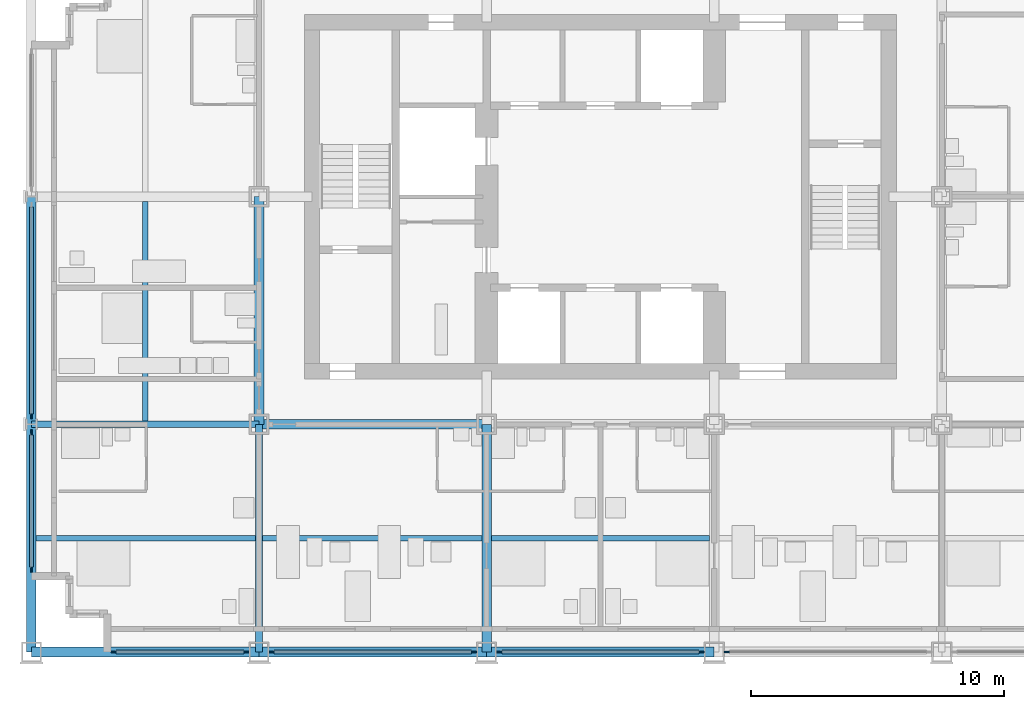
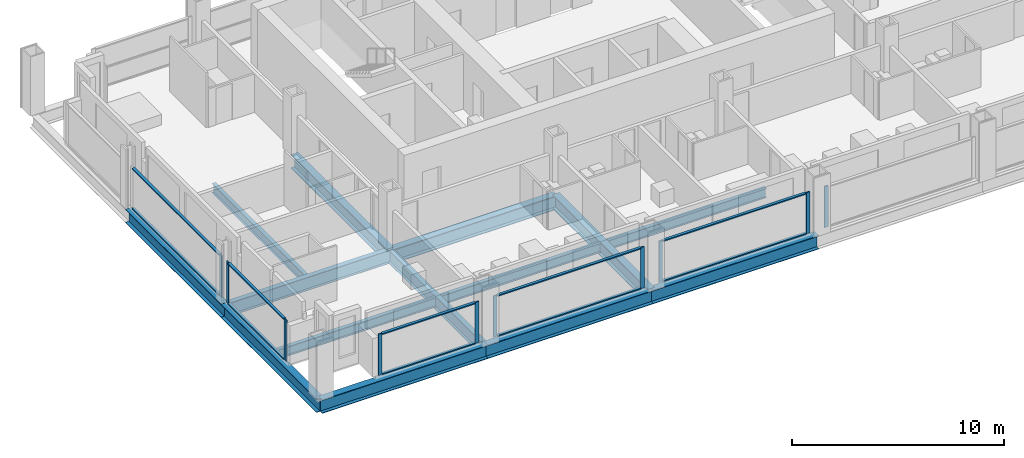
# One storey, part 2 of 13: 20 members, 14 beams, 6 elements without a shape of their own.
"""IFC4 building model written with IfcOpenShell, lengths in metres."""

import ifcopenshell
import ifcopenshell.guid

model = None  # the IFC model being written
_history = None  # IfcOwnerHistory: only IFC2X3 demands one
_inside = {}  # id of a spatial element -> (the spatial element, [elements in it])
_under = {}  # id of a project, library or spatial element -> (it, [spatial elements below it])
_declared = {}  # id of a project -> (the project, [libraries it declares])
_typed = {}  # id of a type object -> (the type object, [elements of that type])
_made_of = {}  # id of a material, layer set ... -> (it, [elements and type objects made of it])


def new_model(schema):
    """Start an empty IFC model of exactly this schema.

    Asked for "IFC4X3", IfcOpenShell would pick the latest addendum, in which some entities
    have other attributes; the version numbers below select the first issue.
    IFC2X3 requires an IfcOwnerHistory on every rooted entity: one is made here for all.
    """
    global model, _history
    if schema == "IFC4X3":
        model = ifcopenshell.file(schema_version=(4, 3, 0, 0))
    else:
        model = ifcopenshell.file(schema=schema)
    _inside.clear()
    _under.clear()
    _declared.clear()
    _typed.clear()
    _made_of.clear()
    _history = None
    if model.schema == "IFC2X3":
        org = make("IfcOrganization", Name="unknown")
        user = make(
            "IfcPersonAndOrganization",
            ThePerson=make("IfcPerson", FamilyName="unknown"),
            TheOrganization=org,
        )
        app = make(
            "IfcApplication",
            ApplicationDeveloper=org,
            Version="unknown",
            ApplicationFullName="unknown",
            ApplicationIdentifier="unknown",
        )
        _history = make(
            "IfcOwnerHistory",
            OwningUser=user,
            OwningApplication=app,
            ChangeAction="ADDED",
            CreationDate=0,
        )
    return model


def make(cls, **values):
    """One entity of the class cls with the attributes given. An attribute that is None is left unset."""
    return model.create_entity(
        cls, **{name: value for name, value in values.items() if value is not None}
    )


def rooted(cls, **values):
    """An entity with a GlobalId (a new one), such as an element, a storey or a relation."""
    return make(cls, GlobalId=ifcopenshell.guid.new(), OwnerHistory=_history, **values)


def si_unit(unit_type, name, prefix=None):
    """IfcSIUnit, for example si_unit("LENGTHUNIT", "METRE", prefix="MILLI")."""
    return make("IfcSIUnit", UnitType=unit_type, Prefix=prefix, Name=name)


def assignment(units):
    """IfcUnitAssignment: the units of a project."""
    return None if units is None else make("IfcUnitAssignment", Units=units)


def point(xyz):
    """IfcCartesianPoint."""
    return None if xyz is None else make("IfcCartesianPoint", Coordinates=xyz)


def direction(xyz):
    """IfcDirection."""
    return None if xyz is None else make("IfcDirection", DirectionRatios=xyz)


def frame(location, z_axis=None, x_axis=None):
    """IfcAxis2Placement3D, a coordinate frame: its origin and axes. An axis left out is left unset."""
    return make(
        "IfcAxis2Placement3D",
        Location=point(location),
        Axis=direction(z_axis),
        RefDirection=direction(x_axis),
    )


def frame_2d(location, x_axis=None):
    """IfcAxis2Placement2D, a coordinate frame in the plane: its origin and x axis."""
    return make(
        "IfcAxis2Placement2D", Location=point(location), RefDirection=direction(x_axis)
    )


def origin():
    """The frame at (0, 0, 0) with its axes left unset."""
    return frame((0.0, 0.0, 0.0))


def origin_2d():
    """The frame at (0, 0) in the plane with its x axis left unset."""
    return frame_2d((0.0, 0.0))


def place(relative_to, where):
    """IfcLocalPlacement: puts the frame where relative to a parent placement (None: the world)."""
    return make(
        "IfcLocalPlacement", PlacementRelTo=relative_to, RelativePlacement=where
    )


def context(
    kind, dimensions, precision=None, world=None, true_north=None, identifier=None
):
    """IfcGeometricRepresentationContext, for example the 3D "Model" context."""
    return make(
        "IfcGeometricRepresentationContext",
        ContextIdentifier=identifier,
        ContextType=kind,
        CoordinateSpaceDimension=dimensions,
        Precision=precision,
        WorldCoordinateSystem=world,
        TrueNorth=true_north,
    )


def subcontext(parent, identifier, kind, view, scale=None):
    """IfcGeometricRepresentationSubContext, for example "Body" below "Model"."""
    return make(
        "IfcGeometricRepresentationSubContext",
        ContextIdentifier=identifier,
        ContextType=kind,
        ParentContext=parent,
        TargetScale=scale,
        TargetView=view,
    )


def project(units=None, contexts=None):
    """IfcProject with its units and contexts."""
    return rooted(
        "IfcProject",
        Name="project",
        RepresentationContexts=contexts,
        UnitsInContext=assignment(units),
    )


def spatial(cls, under=None, at=None, **own):
    """A site, building, storey or space (cls), placed at a placement, below another one or the project."""
    s = rooted(cls, ObjectPlacement=at, **own)
    if under is not None:
        _under.setdefault(under.id(), (under, []))[1].append(s)
    return s


def profile(cls, at=None, kind="AREA", **sizes):
    """A parametric profile (cls). Its sizes go by their IFC names, for example OverallWidth=200.0."""
    return make(cls, ProfileType=kind, Position=at, **sizes)


def rectangle(**sizes):
    """IfcRectangleProfileDef."""
    return profile("IfcRectangleProfileDef", **sizes)


def i_section(**sizes):
    """IfcIShapeProfileDef."""
    return profile("IfcIShapeProfileDef", **sizes)


def extrude(swept, where, along, depth):
    """IfcExtrudedAreaSolid: the profile swept, set in the frame where, extruded along a direction by depth."""
    return make(
        "IfcExtrudedAreaSolid",
        SweptArea=swept,
        Position=where,
        ExtrudedDirection=direction(along),
        Depth=depth,
    )


def shape(context_of_items, identifier, shape_type, items):
    """IfcShapeRepresentation: the items that make up one representation, for example the "Body"."""
    return make(
        "IfcShapeRepresentation",
        ContextOfItems=context_of_items,
        RepresentationIdentifier=identifier,
        RepresentationType=shape_type,
        Items=items,
    )


def material(Name=None, Category=None):
    """IfcMaterial."""
    return make("IfcMaterial", Name=Name, Category=Category)


def material_profile(
    of_material, cross_section, Name=None, Category=None, Priority=None
):
    """IfcMaterialProfile: a cross section and its material."""
    return make(
        "IfcMaterialProfile",
        Name=Name,
        Material=of_material,
        Profile=cross_section,
        Priority=Priority,
        Category=Category,
    )


def profile_set(profiles, Name=None, composite=None):
    """IfcMaterialProfileSet."""
    return make(
        "IfcMaterialProfileSet",
        Name=Name,
        MaterialProfiles=profiles,
        CompositeProfile=composite,
    )


def made_of(thing, what):
    """Note that an element or type object is made of a material, layer set ...; save() writes the relation."""
    if what is not None:
        _made_of.setdefault(what.id(), (what, []))[1].append(thing)
    return thing


def type_object(cls, material=None, **own):
    """A type object (cls), such as IfcWallType, which elements share."""
    return made_of(rooted(cls, **own), material)


def element(
    cls,
    number,
    at=None,
    inside=None,
    cuts=None,
    type_object=None,
    material=None,
    context=None,
    identifier="Body",
    shape_type=None,
    held_by="IfcProductDefinitionShape",
    body=None,
    shapes=None,
    **own,
):
    """One element of the class cls, such as IfcWall. Its Tag is "e" and its number.

    at: its placement. inside: the storey or other place that contains it. cuts: it is an
    opening in that element (IfcRelVoidsElement). A single representation is given by context,
    identifier, shape_type and body (its items); several are given by shapes. held_by: the class
    of the entity that holds the representations. save() writes the other relations.
    """
    e = rooted(cls, Tag="e%d" % number, ObjectPlacement=at, **own)
    if body is not None:
        shapes = [shape(context, identifier, shape_type, body)]
    if shapes is not None:
        e.Representation = make(held_by, Representations=shapes)
    if inside is not None:
        _inside.setdefault(inside.id(), (inside, []))[1].append(e)
    if cuts is not None:
        rooted(
            "IfcRelVoidsElement", RelatingBuildingElement=cuts, RelatedOpeningElement=e
        )
    if type_object is not None:
        _typed.setdefault(type_object.id(), (type_object, []))[1].append(e)
    return made_of(e, material)


def aggregate(whole, parts):
    """IfcRelAggregates: a whole, such as a stair, and the parts it consists of."""
    return rooted("IfcRelAggregates", RelatingObject=whole, RelatedObjects=parts)


def save(model, path):
    """Write the relations noted so far, then the file.

    IfcRelAggregates (storeys below a building ...), IfcRelContainedInSpatialStructure (elements
    in a storey), IfcRelDefinesByType, IfcRelAssociatesMaterial and IfcRelDeclares: one each for
    every whole, place, type object, material and project.
    """
    for whole, parts in _under.values():
        aggregate(whole, parts)
    for where, things in _inside.values():
        rooted(
            "IfcRelContainedInSpatialStructure",
            RelatedElements=things,
            RelatingStructure=where,
        )
    for kind, things in _typed.values():
        rooted("IfcRelDefinesByType", RelatedObjects=things, RelatingType=kind)
    for what, things in _made_of.values():
        rooted("IfcRelAssociatesMaterial", RelatedObjects=things, RelatingMaterial=what)
    for by, libraries in _declared.values():
        rooted("IfcRelDeclares", RelatingContext=by, RelatedDefinitions=libraries)
    model.write(path)


model = new_model("IFC4")

# Units and contexts
model_context = context("Model", 3, precision=1e-05, world=origin(), true_north=direction((0.0, 1.0)))
body_context = subcontext(model_context, "Body", "Model", "MODEL_VIEW")
ifc_project = project(units=[si_unit("LENGTHUNIT", "METRE"), si_unit("AREAUNIT", "SQUARE_METRE"), si_unit("VOLUMEUNIT", "CUBIC_METRE"), si_unit("PLANEANGLEUNIT", "RADIAN"), si_unit("MASSUNIT", "GRAM", prefix="KILO")], contexts=[model_context])

# Site, building, storey
site_placement = place(None, origin())
site = spatial("IfcSite", under=ifc_project, at=site_placement, CompositionType="ELEMENT")
building_placement = place(site_placement, origin())
building = spatial("IfcBuilding", under=site, at=building_placement, Name="Loomwork Tower", CompositionType="ELEMENT")
storey_placement = place(building_placement, frame((0.0, 0.0, 218.199951171875)))
storey = spatial("IfcBuildingStorey", under=building, at=storey_placement, Name="L60", CompositionType="ELEMENT", Elevation=218.199951171875)

# Beams
ifc_material_1 = material(Name="Steel ASTM A992", Category="steel")
ifc_material_profile_1 = material_profile(ifc_material_1, i_section(OverallWidth=0.383544921875, OverallDepth=0.794921875, WebThickness=0.02099609375, FlangeThickness=0.0380859375, at=origin_2d()), Name="W30x235")
ifc_profile_set_1 = profile_set([ifc_material_profile_1], Name="Steel ASTM A992")
beam_type_1 = type_object("IfcBeamType", Name="CORE FLANK GIRDER W30x235", PredefinedType="BEAM", material=ifc_profile_set_1)
for number, where, z_axis, x_axis, name in (
    (1, (9.0, 9.0, -0.597412109375), (1.0, 0.0, 0.0), (0.0, 1.0, 0.0), "Core Flank Girder E/3-E/4 L60"),
    (2, (9.0, 9.0, -0.597412109375), (0.0, 1.0, 0.0), (-1.0, 0.0, 0.0), "Core Flank Girder E/3-F/3 L60"),
    (3, (18.0, 0.0, -0.597412109375), (0.0, 1.0, 0.0), (-1.0, 0.0, 0.0), "Core Flank Girder D/4-E/4 L60"),
):
    element("IfcBeam", number, at=place(storey_placement, frame(where, z_axis=z_axis, x_axis=x_axis)), inside=storey, type_object=beam_type_1, Name=name, PredefinedType="BEAM", context=body_context, shape_type="SweptSolid", body=[
        extrude(i_section(OverallWidth=0.383544921875, OverallDepth=0.794921875, WebThickness=0.02099609375, FlangeThickness=0.0380859375, at=origin_2d()), origin(), (0.0, 0.0, 1.0), 9.0),
    ])
ifc_material_2 = material(Name="Steel ASTM A992", Category="steel")
ifc_material_profile_2 = material_profile(ifc_material_2, i_section(OverallWidth=0.2666015625, OverallDepth=0.761962890625, WebThickness=0.014404296875, FlangeThickness=0.021484375, at=origin_2d()), Name="W30x116")
ifc_profile_set_2 = profile_set([ifc_material_profile_2], Name="Steel ASTM A992")
beam_type_2 = type_object("IfcBeamType", Name="FLOOR GIRDER W30x116", PredefinedType="BEAM", material=ifc_profile_set_2)
for number, where, z_axis, x_axis, name in (
    (4, (0.0, 9.0, -0.5810546875), (1.0, 0.0, 0.0), (0.0, 1.0, 0.0), "Floor Girder E/2-E/3 L60"),
    (5, (9.0, 0.0, -0.5810546875), (0.0, 1.0, 0.0), (-1.0, 0.0, 0.0), "Floor Girder D/3-E/3 L60"),
):
    element("IfcBeam", number, at=place(storey_placement, frame(where, z_axis=z_axis, x_axis=x_axis)), inside=storey, type_object=beam_type_2, Name=name, PredefinedType="BEAM", context=body_context, shape_type="SweptSolid", body=[
        extrude(i_section(OverallWidth=0.2666015625, OverallDepth=0.761962890625, WebThickness=0.014404296875, FlangeThickness=0.021484375, at=origin_2d()), origin(), (0.0, 0.0, 1.0), 9.0),
    ])
ifc_material_3 = material(Name="Steel ASTM A992", Category="steel")
ifc_material_profile_3 = material_profile(ifc_material_3, i_section(OverallWidth=0.2109375, OverallDepth=0.53857421875, WebThickness=0.011474609375, FlangeThickness=0.018798828125, at=origin_2d()), Name="W21x73")
ifc_profile_set_3 = profile_set([ifc_material_profile_3], Name="Steel ASTM A992")
beam_type_3 = type_object("IfcBeamType", Name="FLOOR JOIST W21x73", PredefinedType="JOIST", material=ifc_profile_set_3)
beam_1_placement = place(storey_placement, frame((0.18994140625, 4.5, -0.46923828125), z_axis=(1.0, 0.0, 0.0), x_axis=(0.0, 1.0, 0.0)))
element("IfcBeam", 6, at=beam_1_placement, inside=storey, type_object=beam_type_3, Name="Floor Joist 0.000,4.500-9.000,4.500 L60", PredefinedType="JOIST", context=body_context, shape_type="SweptSolid", body=[
    extrude(i_section(OverallWidth=0.2109375, OverallDepth=0.53857421875, WebThickness=0.011474609375, FlangeThickness=0.018798828125, at=origin_2d()), origin(), (0.0, 0.0, 1.0), 8.677001953125),
])
for number, where, z_axis, x_axis, name in (
    (7, (4.5, 9.133056640625, -0.46923828125), (0.0, 1.0, 0.0), (-1.0, 0.0, 0.0), "Floor Joist 4.500,9.000-4.500,18.000 L60"),
    (8, (9.133056640625, 4.5, -0.46923828125), (1.0, 0.0, 0.0), (0.0, 1.0, 0.0), "Floor Joist 9.000,4.500-18.000,4.500 L60"),
):
    element("IfcBeam", number, at=place(storey_placement, frame(where, z_axis=z_axis, x_axis=x_axis)), inside=storey, type_object=beam_type_3, Name=name, PredefinedType="JOIST", context=body_context, shape_type="SweptSolid", body=[
        extrude(i_section(OverallWidth=0.2109375, OverallDepth=0.53857421875, WebThickness=0.011474609375, FlangeThickness=0.018798828125, at=origin_2d()), origin(), (0.0, 0.0, 1.0), 8.676025390625),
    ])
beam_2_placement = place(storey_placement, frame((18.19091796875, 4.5, -0.46923828125), z_axis=(1.0, 0.0, 0.0), x_axis=(0.0, 1.0, 0.0)))
element("IfcBeam", 9, at=beam_2_placement, inside=storey, type_object=beam_type_3, Name="Floor Joist 18.000,4.500-27.000,4.500 L60", PredefinedType="JOIST", context=body_context, shape_type="SweptSolid", body=[
    extrude(i_section(OverallWidth=0.2109375, OverallDepth=0.53857421875, WebThickness=0.011474609375, FlangeThickness=0.018798828125, at=origin_2d()), origin(), (0.0, 0.0, 1.0), 8.6181640625),
])

# Curtain wall, members
ifc_material_4 = material(Name="Aluminium curtain wall frame", Category="aluminium")
curtain_wall_type = type_object("IfcCurtainWallType", Name="Outer skin glazing hotel", PredefinedType="NOTDEFINED", material=ifc_material_4)
curtain_wall_1_placement = place(storey_placement, origin())
curtain_wall_1 = element("IfcCurtainWall", 10, at=curtain_wall_1_placement, inside=storey, type_object=curtain_wall_type, Name="Outer skin glazing hotel cw/S-0", PredefinedType="NOTDEFINED")
ifc_material_5 = material(Name="Aluminium curtain wall frame", Category="aluminium")
ifc_material_profile_4 = material_profile(ifc_material_5, rectangle(XDim=0.06494140625, YDim=0.199951171875, at=origin_2d()), Name="AL 65x200")
ifc_profile_set_4 = profile_set([ifc_material_profile_4], Name="Aluminium curtain wall frame")
member_type_1 = type_object("IfcMemberType", Name="Outer skin glazing hotel mullion", PredefinedType="MULLION", material=ifc_profile_set_4)
member_1_placement = place(storey_placement, frame((3.25, 0.0, 0.0), z_axis=(0.0, 0.0, 1.0), x_axis=(0.0, 1.0, 0.0)))
member_1 = element("IfcMember", 11, at=member_1_placement, type_object=member_type_1, Name="CW1 mullion 1", PredefinedType="MULLION", context=body_context, shape_type="SweptSolid", body=[
    extrude(rectangle(XDim=0.06494140625, YDim=0.199951171875, at=origin_2d()), origin(), (0.0, 0.0, 1.0), 2.370361328125),
])
member_2_placement = place(storey_placement, frame((8.5, 0.0, 0.0), z_axis=(0.0, 0.0, 1.0), x_axis=(0.0, 1.0, 0.0)))
member_2 = element("IfcMember", 12, at=member_2_placement, type_object=member_type_1, Name="CW1 mullion 2", PredefinedType="MULLION", context=body_context, shape_type="SweptSolid", body=[
    extrude(rectangle(XDim=0.06494140625, YDim=0.199951171875, at=origin_2d()), origin(), (0.0, 0.0, 1.0), 2.370361328125),
])

curtain_wall_2_placement = place(storey_placement, origin())
curtain_wall_2 = element("IfcCurtainWall", 13, at=curtain_wall_2_placement, inside=storey, type_object=curtain_wall_type, Name="Outer skin glazing hotel cw/S-9", PredefinedType="NOTDEFINED")
member_3_placement = place(storey_placement, frame((9.5, 0.0, 0.0), z_axis=(0.0, 0.0, 1.0), x_axis=(0.0, 1.0, 0.0)))
member_3 = element("IfcMember", 14, at=member_3_placement, type_object=member_type_1, Name="CW1 mullion 1", PredefinedType="MULLION", context=body_context, shape_type="SweptSolid", body=[
    extrude(rectangle(XDim=0.06494140625, YDim=0.199951171875, at=origin_2d()), origin(), (0.0, 0.0, 1.0), 2.370361328125),
])
member_4_placement = place(storey_placement, frame((17.5, 0.0, 0.0), z_axis=(0.0, 0.0, 1.0), x_axis=(0.0, 1.0, 0.0)))
member_4 = element("IfcMember", 15, at=member_4_placement, type_object=member_type_1, Name="CW1 mullion 2", PredefinedType="MULLION", context=body_context, shape_type="SweptSolid", body=[
    extrude(rectangle(XDim=0.06494140625, YDim=0.199951171875, at=origin_2d()), origin(), (0.0, 0.0, 1.0), 2.370361328125),
])

curtain_wall_3_placement = place(storey_placement, origin())
curtain_wall_3 = element("IfcCurtainWall", 16, at=curtain_wall_3_placement, inside=storey, type_object=curtain_wall_type, Name="Outer skin glazing hotel cw/S-18", PredefinedType="NOTDEFINED")
member_5_placement = place(storey_placement, frame((18.5, 0.0, 0.0), z_axis=(0.0, 0.0, 1.0), x_axis=(0.0, 1.0, 0.0)))
member_5 = element("IfcMember", 17, at=member_5_placement, type_object=member_type_1, Name="CW1 mullion 1", PredefinedType="MULLION", context=body_context, shape_type="SweptSolid", body=[
    extrude(rectangle(XDim=0.06494140625, YDim=0.199951171875, at=origin_2d()), origin(), (0.0, 0.0, 1.0), 2.370361328125),
])
member_6_placement = place(storey_placement, frame((26.5, 0.0, 0.0), z_axis=(0.0, 0.0, 1.0), x_axis=(0.0, 1.0, 0.0)))
member_6 = element("IfcMember", 18, at=member_6_placement, type_object=member_type_1, Name="CW1 mullion 2", PredefinedType="MULLION", context=body_context, shape_type="SweptSolid", body=[
    extrude(rectangle(XDim=0.06494140625, YDim=0.199951171875, at=origin_2d()), origin(), (0.0, 0.0, 1.0), 2.370361328125),
])

# Curtain wall, member
curtain_wall_4_placement = place(storey_placement, origin())
curtain_wall_4 = element("IfcCurtainWall", 19, at=curtain_wall_4_placement, inside=storey, type_object=curtain_wall_type, Name="Outer skin glazing hotel cw/S-27", PredefinedType="NOTDEFINED")
member_7_placement = place(storey_placement, frame((27.5, 0.0, 0.0), z_axis=(0.0, 0.0, 1.0), x_axis=(0.0, 1.0, 0.0)))
member_7 = element("IfcMember", 20, at=member_7_placement, type_object=member_type_1, Name="CW1 mullion 1", PredefinedType="MULLION", context=body_context, shape_type="SweptSolid", body=[
    extrude(rectangle(XDim=0.06494140625, YDim=0.199951171875, at=origin_2d()), origin(), (0.0, 0.0, 1.0), 2.370361328125),
])
aggregate(curtain_wall_4, [member_7])

# Curtain wall, members
curtain_wall_5_placement = place(storey_placement, origin())
curtain_wall_5 = element("IfcCurtainWall", 21, at=curtain_wall_5_placement, inside=storey, type_object=curtain_wall_type, Name="Outer skin glazing hotel cw/W-0", PredefinedType="NOTDEFINED")
member_8_placement = place(storey_placement, frame((0.0, 8.6865234375, 0.0), z_axis=(0.0, 0.0, 1.0), x_axis=(1.0, 0.0, 0.0)))
member_8 = element("IfcMember", 22, at=member_8_placement, type_object=member_type_1, Name="CW1 mullion 1", PredefinedType="MULLION", context=body_context, shape_type="SweptSolid", body=[
    extrude(rectangle(XDim=0.06494140625, YDim=0.199951171875, at=origin_2d()), origin(), (0.0, 0.0, 1.0), 2.370361328125),
])
member_9_placement = place(storey_placement, frame((0.0, 3.25, 0.0), z_axis=(0.0, 0.0, 1.0), x_axis=(1.0, 0.0, 0.0)))
member_9 = element("IfcMember", 23, at=member_9_placement, type_object=member_type_1, Name="CW1 mullion 2", PredefinedType="MULLION", context=body_context, shape_type="SweptSolid", body=[
    extrude(rectangle(XDim=0.06494140625, YDim=0.199951171875, at=origin_2d()), origin(), (0.0, 0.0, 1.0), 2.370361328125),
])

# Curtain wall, member
curtain_wall_6_placement = place(storey_placement, origin())
curtain_wall_6 = element("IfcCurtainWall", 24, at=curtain_wall_6_placement, inside=storey, type_object=curtain_wall_type, Name="Outer skin glazing hotel cw/W-9", PredefinedType="NOTDEFINED")
member_10_placement = place(storey_placement, frame((0.0, 9.3134765625, 0.0), z_axis=(0.0, 0.0, 1.0), x_axis=(1.0, 0.0, 0.0)))
member_10 = element("IfcMember", 25, at=member_10_placement, type_object=member_type_1, Name="CW1 mullion 2", PredefinedType="MULLION", context=body_context, shape_type="SweptSolid", body=[
    extrude(rectangle(XDim=0.06494140625, YDim=0.199951171875, at=origin_2d()), origin(), (0.0, 0.0, 1.0), 2.370361328125),
])

# Member
ifc_material_6 = material(Name="Aluminium curtain wall frame", Category="aluminium")
ifc_material_profile_5 = material_profile(ifc_material_6, rectangle(XDim=0.14990234375, YDim=0.06494140625, at=origin_2d()), Name="AL 65x150")
ifc_profile_set_5 = profile_set([ifc_material_profile_5], Name="Aluminium curtain wall frame")
member_type_2 = type_object("IfcMemberType", Name="Outer skin glazing hotel transom", PredefinedType="USERDEFINED", material=ifc_profile_set_5)
member_11_placement = place(storey_placement, frame((3.35009765625, 0.0, 0.032470703125), z_axis=(1.0, 0.0, 0.0), x_axis=(0.0, 1.0, 0.0)))
member_11 = element("IfcMember", 26, at=member_11_placement, type_object=member_type_2, Name="CW1 transom 1.1", ObjectType="TRANSOM", PredefinedType="USERDEFINED", context=body_context, shape_type="SweptSolid", body=[
    extrude(rectangle(XDim=0.14990234375, YDim=0.06494140625, at=origin_2d()), origin(), (0.0, 0.0, 1.0), 5.0498046875),
])

member_12_placement = place(storey_placement, frame((3.35009765625, 0.0, 2.337646484375), z_axis=(1.0, 0.0, 0.0), x_axis=(0.0, 1.0, 0.0)))
member_12 = element("IfcMember", 27, at=member_12_placement, type_object=member_type_2, Name="CW1 transom 1.2", ObjectType="TRANSOM", PredefinedType="USERDEFINED", context=body_context, shape_type="SweptSolid", body=[
    extrude(rectangle(XDim=0.14990234375, YDim=0.06494140625, at=origin_2d()), origin(), (0.0, 0.0, 1.0), 5.0498046875),
])

aggregate(curtain_wall_1, [member_1, member_2, member_11, member_12])

member_13_placement = place(storey_placement, frame((9.60009765625, 0.0, 0.032470703125), z_axis=(1.0, 0.0, 0.0), x_axis=(0.0, 1.0, 0.0)))
member_13 = element("IfcMember", 28, at=member_13_placement, type_object=member_type_2, Name="CW1 transom 1.1", ObjectType="TRANSOM", PredefinedType="USERDEFINED", context=body_context, shape_type="SweptSolid", body=[
    extrude(rectangle(XDim=0.14990234375, YDim=0.06494140625, at=origin_2d()), origin(), (0.0, 0.0, 1.0), 7.7998046875),
])

member_14_placement = place(storey_placement, frame((9.60009765625, 0.0, 2.337646484375), z_axis=(1.0, 0.0, 0.0), x_axis=(0.0, 1.0, 0.0)))
member_14 = element("IfcMember", 29, at=member_14_placement, type_object=member_type_2, Name="CW1 transom 1.2", ObjectType="TRANSOM", PredefinedType="USERDEFINED", context=body_context, shape_type="SweptSolid", body=[
    extrude(rectangle(XDim=0.14990234375, YDim=0.06494140625, at=origin_2d()), origin(), (0.0, 0.0, 1.0), 7.7998046875),
])

aggregate(curtain_wall_2, [member_3, member_4, member_13, member_14])

member_15_placement = place(storey_placement, frame((18.60009765625, 0.0, 0.032470703125), z_axis=(1.0, 0.0, 0.0), x_axis=(0.0, 1.0, 0.0)))
member_15 = element("IfcMember", 30, at=member_15_placement, type_object=member_type_2, Name="CW1 transom 1.1", ObjectType="TRANSOM", PredefinedType="USERDEFINED", context=body_context, shape_type="SweptSolid", body=[
    extrude(rectangle(XDim=0.14990234375, YDim=0.06494140625, at=origin_2d()), origin(), (0.0, 0.0, 1.0), 7.7998046875),
])

member_16_placement = place(storey_placement, frame((18.60009765625, 0.0, 2.337646484375), z_axis=(1.0, 0.0, 0.0), x_axis=(0.0, 1.0, 0.0)))
member_16 = element("IfcMember", 31, at=member_16_placement, type_object=member_type_2, Name="CW1 transom 1.2", ObjectType="TRANSOM", PredefinedType="USERDEFINED", context=body_context, shape_type="SweptSolid", body=[
    extrude(rectangle(XDim=0.14990234375, YDim=0.06494140625, at=origin_2d()), origin(), (0.0, 0.0, 1.0), 7.7998046875),
])

aggregate(curtain_wall_3, [member_5, member_6, member_15, member_16])

member_17_placement = place(storey_placement, frame((0.0, 8.586669921875, 0.032470703125), z_axis=(0.0, -1.0, 0.0), x_axis=(1.0, 0.0, 0.0)))
member_17 = element("IfcMember", 32, at=member_17_placement, type_object=member_type_2, Name="CW1 transom 1.1", ObjectType="TRANSOM", PredefinedType="USERDEFINED", context=body_context, shape_type="SweptSolid", body=[
    extrude(rectangle(XDim=0.14990234375, YDim=0.06494140625, at=origin_2d()), origin(), (0.0, 0.0, 1.0), 5.236572265625),
])

member_18_placement = place(storey_placement, frame((0.0, 8.586669921875, 2.337646484375), z_axis=(0.0, -1.0, 0.0), x_axis=(1.0, 0.0, 0.0)))
member_18 = element("IfcMember", 33, at=member_18_placement, type_object=member_type_2, Name="CW1 transom 1.2", ObjectType="TRANSOM", PredefinedType="USERDEFINED", context=body_context, shape_type="SweptSolid", body=[
    extrude(rectangle(XDim=0.14990234375, YDim=0.06494140625, at=origin_2d()), origin(), (0.0, 0.0, 1.0), 5.236572265625),
])

aggregate(curtain_wall_5, [member_8, member_9, member_17, member_18])

member_19_placement = place(storey_placement, frame((0.0, 17.586669921875, 0.032470703125), z_axis=(0.0, -1.0, 0.0), x_axis=(1.0, 0.0, 0.0)))
member_19 = element("IfcMember", 34, at=member_19_placement, type_object=member_type_2, Name="CW1 transom 1.1", ObjectType="TRANSOM", PredefinedType="USERDEFINED", context=body_context, shape_type="SweptSolid", body=[
    extrude(rectangle(XDim=0.14990234375, YDim=0.06494140625, at=origin_2d()), origin(), (0.0, 0.0, 1.0), 8.17333984375),
])

member_20_placement = place(storey_placement, frame((0.0, 17.586669921875, 2.337646484375), z_axis=(0.0, -1.0, 0.0), x_axis=(1.0, 0.0, 0.0)))
member_20 = element("IfcMember", 35, at=member_20_placement, type_object=member_type_2, Name="CW1 transom 1.2", ObjectType="TRANSOM", PredefinedType="USERDEFINED", context=body_context, shape_type="SweptSolid", body=[
    extrude(rectangle(XDim=0.14990234375, YDim=0.06494140625, at=origin_2d()), origin(), (0.0, 0.0, 1.0), 8.17333984375),
])

aggregate(curtain_wall_6, [member_10, member_19, member_20])

# Beams
ifc_material_7 = material(Name="Steel ASTM A992", Category="steel")
ifc_material_profile_6 = material_profile(ifc_material_7, i_section(OverallWidth=0.381103515625, OverallDepth=0.77978515625, WebThickness=0.01806640625, FlangeThickness=0.0302734375, at=origin_2d()), Name="W30x191")
ifc_profile_set_6 = profile_set([ifc_material_profile_6], Name="Steel ASTM A992")
beam_type_4 = type_object("IfcBeamType", Name="SPANDREL GIRDER W30x191", PredefinedType="SPANDREL", material=ifc_profile_set_6)
for number, where, z_axis, x_axis, name in (
    (36, (0.0, 0.0, -0.58984375), (1.0, 0.0, 0.0), (0.0, 1.0, 0.0), "Spandrel Girder D/2-D/3 L60"),
    (37, (9.0, 0.0, -0.58984375), (1.0, 0.0, 0.0), (0.0, 1.0, 0.0), "Spandrel Girder D/3-D/4 L60"),
    (38, (18.0, 0.0, -0.58984375), (1.0, 0.0, 0.0), (0.0, 1.0, 0.0), "Spandrel Girder D/4-D/5 L60"),
    (39, (0.0, 0.0, -0.58984375), (0.0, 1.0, 0.0), (-1.0, 0.0, 0.0), "Spandrel Girder D/2-E/2 L60"),
    (40, (0.0, 9.0, -0.58984375), (0.0, 1.0, 0.0), (-1.0, 0.0, 0.0), "Spandrel Girder E/2-F/2 L60"),
):
    element("IfcBeam", number, at=place(storey_placement, frame(where, z_axis=z_axis, x_axis=x_axis)), inside=storey, type_object=beam_type_4, Name=name, PredefinedType="SPANDREL", context=body_context, shape_type="SweptSolid", body=[
        extrude(i_section(OverallWidth=0.381103515625, OverallDepth=0.77978515625, WebThickness=0.01806640625, FlangeThickness=0.0302734375, at=origin_2d()), origin(), (0.0, 0.0, 1.0), 9.0),
    ])

save(model, "model.ifc")
